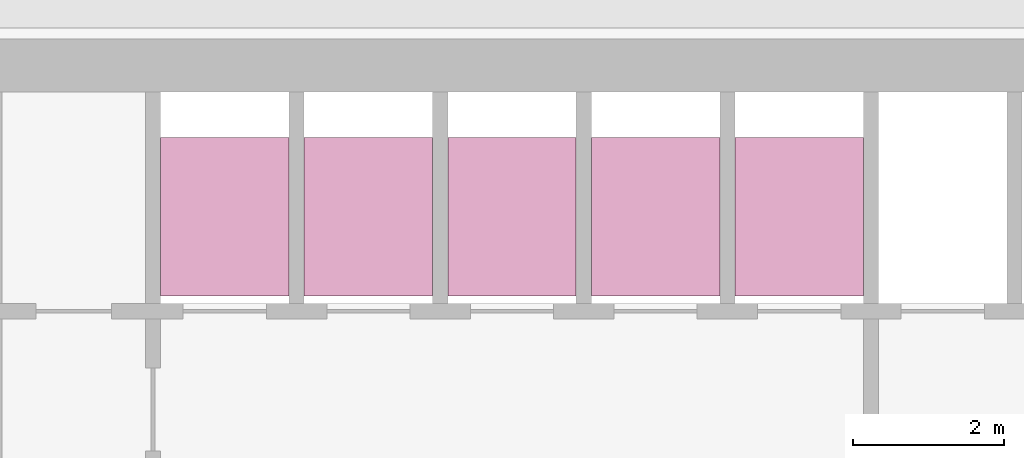
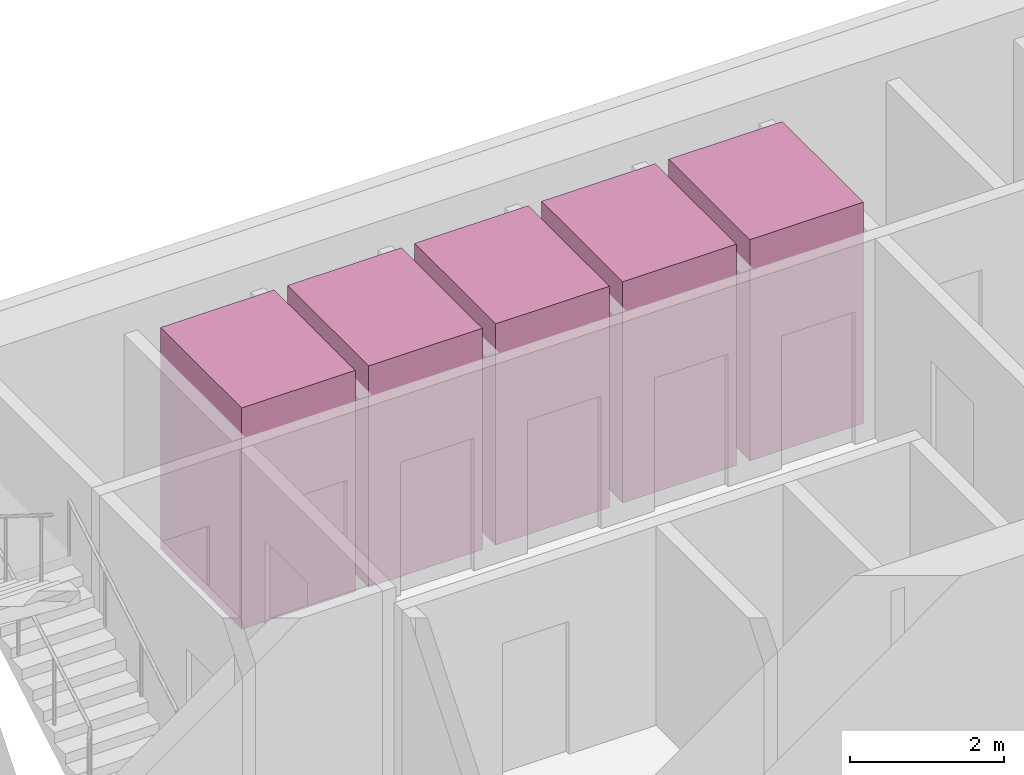
# One storey, part 13 of 13: 5 transport elements.
"""IFC4 building model written with IfcOpenShell, lengths in metres."""

from ifc_helpers import new_model, si_unit, direction, frame, origin, origin_2d, place, context, subcontext, project, spatial, rectangle, extrude, material, type_object, element, save


model = new_model("IFC4")

# Units and contexts
model_context = context("Model", 3, precision=1e-05, world=origin(), true_north=direction((0.0, 1.0)))
body_context = subcontext(model_context, "Body", "Model", "MODEL_VIEW")
ifc_project = project(units=[si_unit("LENGTHUNIT", "METRE"), si_unit("AREAUNIT", "SQUARE_METRE"), si_unit("VOLUMEUNIT", "CUBIC_METRE"), si_unit("PLANEANGLEUNIT", "RADIAN"), si_unit("MASSUNIT", "GRAM", prefix="KILO")], contexts=[model_context])

# Site, building, storey
site_placement = place(None, origin())
site = spatial("IfcSite", under=ifc_project, at=site_placement, CompositionType="ELEMENT")
building_placement = place(site_placement, origin())
building = spatial("IfcBuilding", under=site, at=building_placement, Name="Altiplano Prism Tower", CompositionType="ELEMENT")
storey_placement = place(building_placement, frame((0.0, 0.0, 201.60009765625)))
storey = spatial("IfcBuildingStorey", under=building, at=storey_placement, Name="L52", CompositionType="ELEMENT", Elevation=201.60009765625)

# Transport elements
ifc_material = material(Name="Stainless steel lift car", Category="steel")
transport_element_type = type_object("IfcTransportElementType", Name="Passenger lift car 1600 x 2100", PredefinedType="ELEVATOR", material=ifc_material)
for number, where, z_axis, x_axis, name in (
    (1, (79.050048828125, 101.75, 0.0498046875), (0.0, 0.0, 1.0), (1.0, 0.0, 0.0), "Mid Zone Passenger Lift 1"),
    (2, (80.949951171875, 101.75, 0.0498046875), (0.0, 0.0, 1.0), (1.0, 0.0, 0.0), "Mid Zone Passenger Lift 2"),
    (3, (82.85009765625, 101.75, 0.0498046875), (0.0, 0.0, 1.0), (1.0, 0.0, 0.0), "Mid Zone Passenger Lift 3"),
    (4, (84.75, 101.75, 0.0498046875), (0.0, 0.0, 1.0), (1.0, 0.0, 0.0), "Mid Zone Passenger Lift 4"),
    (5, (86.64990234375, 101.75, 0.0498046875), (0.0, 0.0, 1.0), (1.0, 0.0, 0.0), "Mid Zone Passenger Lift 5"),
):
    element("IfcTransportElement", number, at=place(storey_placement, frame(where, z_axis=z_axis, x_axis=x_axis)), inside=storey, type_object=transport_element_type, Name=name, PredefinedType="ELEVATOR", context=body_context, shape_type="SweptSolid", body=[
        extrude(rectangle(XDim=1.699951171875, YDim=2.10009765625, at=origin_2d()), origin(), (0.0, 0.0, 1.0), 3.5),
    ])

save(model, "model.ifc")
